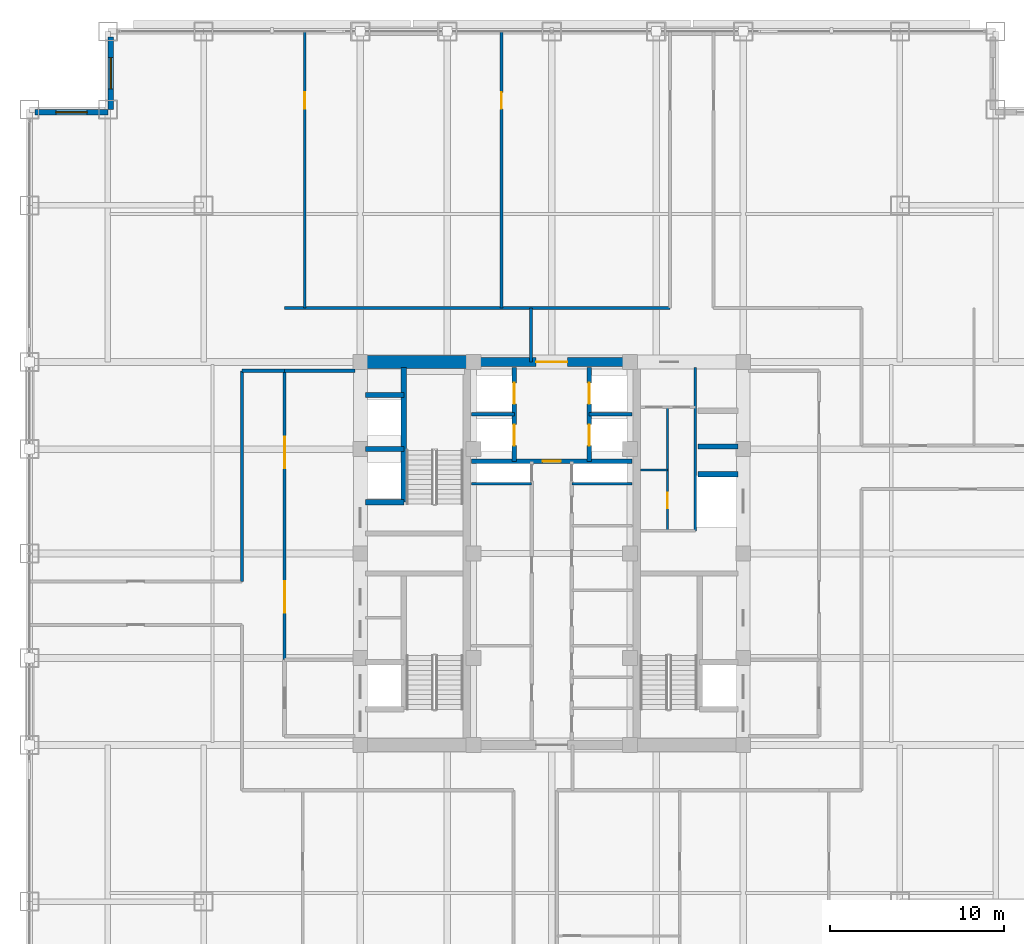
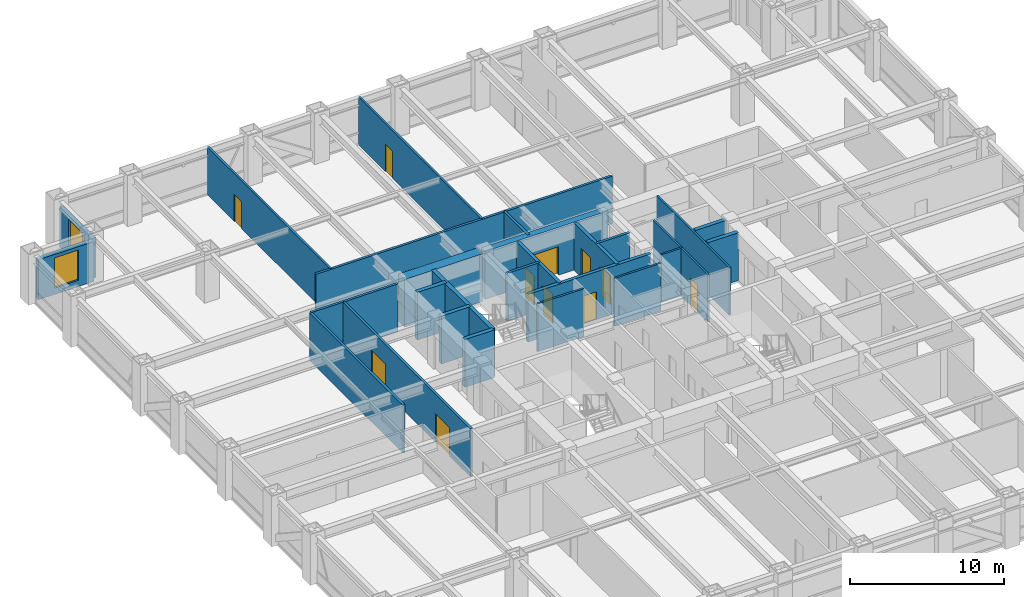
# One storey, part 22 of 28: 28 walls, 11 doors, 2 windows, 13 openings.
"""IFC4 building model written with IfcOpenShell, lengths in metres."""

from ifc_helpers import new_model, si_unit, direction, frame, frame_2d, origin, place, context, subcontext, project, spatial, rectangle, extrude, source, transform, mapped, material, layer, layer_set, type_object, element, fill, save


model = new_model("IFC4")

# Units and contexts
model_context = context("Model", 3, precision=1e-05, world=origin(), true_north=direction((0.0, 1.0)))
body_context = subcontext(model_context, "Body", "Model", "MODEL_VIEW")
ifc_project = project(units=[si_unit("LENGTHUNIT", "METRE"), si_unit("AREAUNIT", "SQUARE_METRE"), si_unit("VOLUMEUNIT", "CUBIC_METRE"), si_unit("PLANEANGLEUNIT", "RADIAN"), si_unit("MASSUNIT", "GRAM", prefix="KILO")], contexts=[model_context])

# Site, building, storey
site_placement = place(None, origin())
site = spatial("IfcSite", under=ifc_project, at=site_placement, CompositionType="ELEMENT")
building_placement = place(site_placement, origin())
building = spatial("IfcBuilding", under=site, at=building_placement, Name="Khorayat Bourse Tower", CompositionType="ELEMENT")
storey_placement = place(building_placement, frame((0.0, 0.0, 187.10009765625)))
storey = spatial("IfcBuildingStorey", under=building, at=storey_placement, Name="L43", CompositionType="ELEMENT", Elevation=187.10009765625)

# Wall
ifc_material_1 = material(Name="Concrete C72/90", Category="concrete")
ifc_layer_1 = layer(ifc_material_1, 0.75)
ifc_layer_set_1 = layer_set([ifc_layer_1], Name="Concrete C72/90")
wall_type_1 = type_object("IfcWallType", Name="WAL-CORE-750", PredefinedType="SHEAR", material=ifc_layer_set_1)
shared_shape_1 = source(origin(), body_context, "Body", "SweptSolid", [
    extrude(rectangle(XDim=5.849853515625, YDim=0.75, at=frame_2d((2.9248046875, 0.0))), origin(), (0.0, 0.0, 1.0), 3.77978515625),
])
wall_1_placement = place(storey_placement, frame((-10.699951171875, 11.0, 0.0), z_axis=(0.0, 0.0, 1.0), x_axis=(1.0, 0.0, 0.0)))
element("IfcWall", 1, at=wall_1_placement, inside=storey, type_object=wall_type_1, Name="L43 Core Shear Wall PIER-WN", PredefinedType="SHEAR", context=body_context, shape_type="MappedRepresentation", body=[
    mapped(shared_shape_1, transform((0.0, 0.0, 0.0), scale=1.0)),
])

# Wall, opening, door
ifc_material_2 = material(Name="Concrete C52/65", Category="concrete")
ifc_layer_2 = layer(ifc_material_2, 0.5)
ifc_layer_set_2 = layer_set([ifc_layer_2], Name="Concrete C52/65")
wall_type_2 = type_object("IfcWallType", Name="WAL-CORE-500", PredefinedType="SHEAR", material=ifc_layer_set_2)
shared_shape_2 = source(origin(), body_context, "Body", "SweptSolid", [
    extrude(rectangle(XDim=9.2001953125, YDim=0.5, at=frame_2d((4.60009765625, 0.0))), origin(), (0.0, 0.0, 1.0), 3.77978515625),
])
wall_2_placement = place(storey_placement, frame((-4.60009765625, 11.0, 0.0), z_axis=(0.0, 0.0, 1.0), x_axis=(1.0, 0.0, 0.0)))
wall_2 = element("IfcWall", 2, at=wall_2_placement, inside=storey, type_object=wall_type_2, Name="L43 Core Shear Wall CORE-N", PredefinedType="SHEAR", context=body_context, shape_type="MappedRepresentation", body=[
    mapped(shared_shape_2, transform((0.0, 0.0, 0.0), scale=1.0)),
])
shared_shape_3 = source(origin(), body_context, "Body", "SweptSolid", [
    extrude(rectangle(XDim=1.800048828125, YDim=2.25, at=frame_2d((0.89990234375, 1.125))), frame((0.0, 0.260009765625, 0.0), z_axis=(0.0, -1.0, 0.0), x_axis=(1.0, 0.0, 0.0)), (0.0, 0.0, 1.0), 0.52001953125),
])
opening_1_placement = place(wall_2_placement, frame((3.699951171875, 0.0, 0.0)))
opening_1 = element("IfcOpeningElement", 3, at=opening_1_placement, cuts=wall_2, Name="Opening DI-03", PredefinedType="OPENING", context=body_context, shape_type="MappedRepresentation", body=[
    mapped(shared_shape_3, transform((0.0, 0.0, 0.0), scale=1.0)),
])
ifc_material_3 = material(Name="Fire-rated hardwood vision-panel double leaf", Category="wood")
door_type_1 = type_object("IfcDoorType", Name="DR-INT-CORR-1800", OperationType="NOTDEFINED", PredefinedType="DOOR", material=ifc_material_3)
shared_shape_4 = source(origin(), body_context, "Body", "SweptSolid", [
    extrude(rectangle(XDim=1.800048828125, YDim=2.25, at=frame_2d((0.89990234375, 1.125))), frame((0.0, 0.02490234375, 0.0), z_axis=(0.0, -1.0, 0.0), x_axis=(1.0, 0.0, 0.0)), (0.0, 0.0, 1.0), 0.050048828125),
])
door_1_placement = place(opening_1_placement, origin())
door_1 = element("IfcDoor", 4, at=door_1_placement, inside=storey, type_object=door_type_1, Name="L43 Mid-Rise Lift Lobby Door", OperationType="SINGLE_SWING_RIGHT", OverallHeight=2.25, OverallWidth=1.800048828125, PredefinedType="DOOR", context=body_context, shape_type="MappedRepresentation", body=[
    mapped(shared_shape_4, transform((0.0, 0.0, 0.0), scale=1.0)),
])
fill(opening_1, door_1)

# Wall, opening, window
ifc_material_4 = material(Name="Precast concrete C45/55", Category="concrete")
ifc_layer_3 = layer(ifc_material_4, 0.320068359375)
ifc_layer_set_3 = layer_set([ifc_layer_3], Name="Precast concrete C45/55")
wall_type_3 = type_object("IfcWallType", Name="WAL-EXT-STONE-320", PredefinedType="STANDARD", material=ifc_layer_set_3)
shared_shape_5 = source(origin(), body_context, "Body", "SweptSolid", [
    extrude(rectangle(XDim=4.179931640625, YDim=0.320068359375, at=frame_2d((2.08984375, 0.0))), origin(), (0.0, 0.0, 1.0), 3.163818359375),
])
wall_3_placement = place(storey_placement, frame((-25.340087890625, 25.5, 0.0), z_axis=(0.0, 0.0, 1.0), x_axis=(0.0, 1.0, 0.0)))
wall_3 = element("IfcWall", 5, at=wall_3_placement, inside=storey, type_object=wall_type_3, Name="L43 Re-Entrant Notch Limestone Wall NW-V", PredefinedType="STANDARD", context=body_context, shape_type="MappedRepresentation", body=[
    mapped(shared_shape_5, transform((0.0, 0.0, 0.0), scale=1.0)),
])
shared_shape_6 = source(origin(), body_context, "Body", "SweptSolid", [
    extrude(rectangle(XDim=1.800048828125, YDim=2.39990234375, at=frame_2d((0.89990234375, 1.199951171875))), frame((0.0, 0.169921875, 0.0), z_axis=(0.0, -1.0, 0.0), x_axis=(1.0, 0.0, 0.0)), (0.0, 0.0, 1.0), 0.340087890625),
])
opening_2_placement = place(wall_3_placement, frame((1.18994140625, 0.0, 0.5)))
opening_2 = element("IfcOpeningElement", 6, at=opening_2_placement, cuts=wall_3, Name="Opening WN-04", PredefinedType="OPENING", context=body_context, shape_type="MappedRepresentation", body=[
    mapped(shared_shape_6, transform((0.0, 0.0, 0.0), scale=1.0)),
])
ifc_material_5 = material(Name="Low-E acoustic laminated double glazing", Category="glass")
window_type = type_object("IfcWindowType", Name="WIN-NOTCH-1800x2400", PartitioningType="SINGLE_PANEL", PredefinedType="WINDOW", material=ifc_material_5)
shared_shape_7 = source(origin(), body_context, "Body", "SweptSolid", [
    extrude(rectangle(XDim=1.800048828125, YDim=2.39990234375, at=frame_2d((0.89990234375, 1.199951171875))), frame((0.0, 0.030029296875, 0.0), z_axis=(0.0, -1.0, 0.0), x_axis=(1.0, 0.0, 0.0)), (0.0, 0.0, 1.0), 0.06005859375),
])
window_1_placement = place(opening_2_placement, origin())
window_1 = element("IfcWindow", 7, at=window_1_placement, inside=storey, type_object=window_type, Name="L43 Facade Window 1", OverallHeight=2.39990234375, OverallWidth=1.800048828125, PartitioningType="SINGLE_PANEL", PredefinedType="WINDOW", context=body_context, shape_type="MappedRepresentation", body=[
    mapped(shared_shape_7, transform((0.0, 0.0, 0.0), scale=1.0)),
])
fill(opening_2, window_1)

wall_4_placement = place(storey_placement, frame((-25.5, 25.340087890625, 0.0), z_axis=(0.0, 0.0, 1.0), x_axis=(-1.0, 0.0, 0.0)))
wall_4 = element("IfcWall", 8, at=wall_4_placement, inside=storey, type_object=wall_type_3, Name="L43 Re-Entrant Notch Limestone Wall NW-H", PredefinedType="STANDARD", context=body_context, shape_type="MappedRepresentation", body=[
    mapped(shared_shape_5, transform((0.0, 0.0, 0.0), scale=1.0)),
])
opening_3_placement = place(wall_4_placement, frame((1.18994140625, 0.0, 0.5)))
opening_3 = element("IfcOpeningElement", 9, at=opening_3_placement, cuts=wall_4, Name="Opening WN-04", PredefinedType="OPENING", context=body_context, shape_type="MappedRepresentation", body=[
    mapped(shared_shape_6, transform((0.0, 0.0, 0.0), scale=1.0)),
])
window_2_placement = place(opening_3_placement, origin())
window_2 = element("IfcWindow", 10, at=window_2_placement, inside=storey, type_object=window_type, Name="L43 Facade Window 1", OverallHeight=2.39990234375, OverallWidth=1.800048828125, PartitioningType="SINGLE_PANEL", PredefinedType="WINDOW", context=body_context, shape_type="MappedRepresentation", body=[
    mapped(shared_shape_7, transform((0.0, 0.0, 0.0), scale=1.0)),
])
fill(opening_3, window_2)

# Walls
ifc_material_6 = material(Name="Concrete C50/60", Category="concrete")
ifc_layer_4 = layer(ifc_material_6, 0.300048828125)
ifc_layer_set_4 = layer_set([ifc_layer_4], Name="Concrete C50/60")
wall_type_4 = type_object("IfcWallType", Name="WAL-SHAFT-300", PredefinedType="SHEAR", material=ifc_layer_set_4)
shared_shape_8 = source(origin(), body_context, "Body", "SweptSolid", [
    extrude(rectangle(XDim=2.199951171875, YDim=0.300048828125, at=frame_2d((1.10009765625, 0.0))), origin(), (0.0, 0.0, 1.0), 3.77978515625),
])
for number, where, z_axis, x_axis, name in (
    (11, (-10.699951171875, 2.949951171875, 0.0), (0.0, 0.0, 1.0), (1.0, 0.0, 0.0), "L43 Partition WAL-L43-WPIER-H1S"),
    (12, (-10.699951171875, 6.0, 0.0), (0.0, 0.0, 1.0), (1.0, 0.0, 0.0), "L43 Partition WAL-L43-WPIER-H12"),
    (13, (-10.699951171875, 9.10009765625, 0.0), (0.0, 0.0, 1.0), (1.0, 0.0, 0.0), "L43 Partition WAL-L43-WPIER-H2N"),
):
    element("IfcWall", number, at=place(storey_placement, frame(where, z_axis=z_axis, x_axis=x_axis)), inside=storey, type_object=wall_type_4, Name=name, PredefinedType="SHEAR", context=body_context, shape_type="MappedRepresentation", body=[
        mapped(shared_shape_8, transform((0.0, 0.0, 0.0), scale=1.0)),
    ])
shared_shape_9 = source(origin(), body_context, "Body", "SweptSolid", [
    extrude(rectangle(XDim=7.75, YDim=0.300048828125, at=frame_2d((3.875, 0.0))), origin(), (0.0, 0.0, 1.0), 3.77978515625),
])
wall_5_placement = place(storey_placement, frame((-8.5, 2.949951171875, 0.0), z_axis=(0.0, 0.0, 1.0), x_axis=(0.0, 1.0, 0.0)))
element("IfcWall", 14, at=wall_5_placement, inside=storey, type_object=wall_type_4, Name="L43 Partition WAL-L43-WPIER-ST2S", PredefinedType="SHEAR", context=body_context, shape_type="MappedRepresentation", body=[
    mapped(shared_shape_9, transform((0.0, 0.0, 0.0), scale=1.0)),
])
shared_shape_10 = source(origin(), body_context, "Body", "SweptSolid", [
    extrude(rectangle(XDim=2.300048828125, YDim=0.300048828125, at=frame_2d((1.14990234375, 0.0))), origin(), (0.0, 0.0, 1.0), 3.77978515625),
])
for number, where, z_axis, x_axis, name in (
    (15, (8.39990234375, 4.550048828125, 0.0), (0.0, 0.0, 1.0), (1.0, 0.0, 0.0), "L43 Partition WAL-L43-EPIER-SVLN"),
    (16, (8.39990234375, 6.14990234375, 0.0), (0.0, 0.0, 1.0), (1.0, 0.0, 0.0), "L43 Partition WAL-L43-EPIER-H3S"),
):
    element("IfcWall", number, at=place(storey_placement, frame(where, z_axis=z_axis, x_axis=x_axis)), inside=storey, type_object=wall_type_4, Name=name, PredefinedType="SHEAR", context=body_context, shape_type="MappedRepresentation", body=[
        mapped(shared_shape_10, transform((0.0, 0.0, 0.0), scale=1.0)),
    ])
ifc_material_7 = material(Name="Moisture-resistant masonry partition", Category="masonry")
ifc_layer_5 = layer(ifc_material_7, 0.139892578125)
ifc_layer_set_5 = layer_set([ifc_layer_5], Name="Moisture-resistant masonry partition")
wall_type_5 = type_object("IfcWallType", Name="WAL-PART-WET-140", PredefinedType="PARTITIONING", material=ifc_layer_set_5)
shared_shape_11 = source(origin(), body_context, "Body", "SweptSolid", [
    extrude(rectangle(XDim=9.39990234375, YDim=0.139892578125, at=frame_2d((4.699951171875, 0.0))), origin(), (0.0, 0.0, 1.0), 3.77978515625),
])
wall_6_placement = place(storey_placement, frame((8.25, 1.300048828125, 0.0), z_axis=(0.0, 0.0, 1.0), x_axis=(0.0, 1.0, 0.0)))
element("IfcWall", 17, at=wall_6_placement, inside=storey, type_object=wall_type_5, Name="L43 Partition WAL-L43-ECORE-E", PredefinedType="PARTITIONING", context=body_context, shape_type="MappedRepresentation", body=[
    mapped(shared_shape_11, transform((0.0, 0.0, 0.0), scale=1.0)),
])
ifc_material_8 = material(Name="Gypsum plasterboard acoustic stud wall")
ifc_layer_6 = layer(ifc_material_8, 0.179931640625)
ifc_layer_set_6 = layer_set([ifc_layer_6], Name="Gypsum plasterboard acoustic stud wall")
wall_type_6 = type_object("IfcWallType", Name="WAL-PART-CORR-180", PredefinedType="PARTITIONING", material=ifc_layer_set_6)
shared_shape_12 = source(origin(), body_context, "Body", "SweptSolid", [
    extrude(rectangle(XDim=4.050048828125, YDim=0.179931640625, at=frame_2d((2.02490234375, 0.0))), origin(), (0.0, 0.0, 1.0), 3.77978515625),
])
wall_7_placement = place(storey_placement, frame((-15.35009765625, 10.5, 0.0), z_axis=(0.0, 0.0, 1.0), x_axis=(1.0, 0.0, 0.0)))
element("IfcWall", 18, at=wall_7_placement, inside=storey, type_object=wall_type_6, Name="L43 Partition WAL-L43-WLOB-N", PredefinedType="PARTITIONING", context=body_context, shape_type="MappedRepresentation", body=[
    mapped(shared_shape_12, transform((0.0, 0.0, 0.0), scale=1.0)),
])

# Wall, openings, doors
shared_shape_13 = source(origin(), body_context, "Body", "SweptSolid", [
    extrude(rectangle(XDim=16.60009765625, YDim=0.179931640625, at=frame_2d((8.300048828125, 0.0))), origin(), (0.0, 0.0, 1.0), 3.77978515625),
])
wall_8_placement = place(storey_placement, frame((-15.35009765625, -6.10009765625, 0.0), z_axis=(0.0, 0.0, 1.0), x_axis=(0.0, 1.0, 0.0)))
wall_8 = element("IfcWall", 19, at=wall_8_placement, inside=storey, type_object=wall_type_6, Name="L43 Partition WAL-L43-WLOB-W", PredefinedType="PARTITIONING", context=body_context, shape_type="MappedRepresentation", body=[
    mapped(shared_shape_13, transform((0.0, 0.0, 0.0), scale=1.0)),
])
shared_shape_14 = source(origin(), body_context, "Body", "SweptSolid", [
    extrude(rectangle(XDim=1.800048828125, YDim=2.25, at=frame_2d((0.89990234375, 1.125))), frame((0.0, 0.099853515625, 0.0), z_axis=(0.0, -1.0, 0.0), x_axis=(1.0, 0.0, 0.0)), (0.0, 0.0, 1.0), 0.199951171875),
])
opening_4_placement = place(wall_8_placement, frame((2.699951171875, 0.0, 0.0)))
opening_4 = element("IfcOpeningElement", 20, at=opening_4_placement, cuts=wall_8, Name="Opening DI-03", PredefinedType="OPENING", context=body_context, shape_type="MappedRepresentation", body=[
    mapped(shared_shape_14, transform((0.0, 0.0, 0.0), scale=1.0)),
])
opening_5_placement = place(wall_8_placement, frame((11.0, 0.0, 0.0)))
opening_5 = element("IfcOpeningElement", 21, at=opening_5_placement, cuts=wall_8, Name="Opening DI-03", PredefinedType="OPENING", context=body_context, shape_type="MappedRepresentation", body=[
    mapped(shared_shape_14, transform((0.0, 0.0, 0.0), scale=1.0)),
])
door_2_placement = place(opening_4_placement, origin())
door_2 = element("IfcDoor", 22, at=door_2_placement, inside=storey, type_object=door_type_1, Name="L43 West Core Lobby South Door", OperationType="SINGLE_SWING_LEFT", OverallHeight=2.25, OverallWidth=1.800048828125, PredefinedType="DOOR", context=body_context, shape_type="MappedRepresentation", body=[
    mapped(shared_shape_4, transform((0.0, 0.0, 0.0), scale=1.0)),
])
fill(opening_4, door_2)
door_3_placement = place(opening_5_placement, origin())
door_3 = element("IfcDoor", 23, at=door_3_placement, inside=storey, type_object=door_type_1, Name="L43 West Core Lobby North Door", OperationType="SINGLE_SWING_RIGHT", OverallHeight=2.25, OverallWidth=1.800048828125, PredefinedType="DOOR", context=body_context, shape_type="MappedRepresentation", body=[
    mapped(shared_shape_4, transform((0.0, 0.0, 0.0), scale=1.0)),
])
fill(opening_5, door_3)

# Walls
ifc_material_9 = material(Name="Gypsum plasterboard twin-frame partition")
ifc_layer_7 = layer(ifc_material_9, 0.14990234375)
ifc_layer_set_7 = layer_set([ifc_layer_7], Name="Gypsum plasterboard twin-frame partition")
wall_type_7 = type_object("IfcWallType", Name="WAL-PART-SUITE-150", PredefinedType="PARTITIONING", material=ifc_layer_set_7)
shared_shape_15 = source(origin(), body_context, "Body", "SweptSolid", [
    extrude(rectangle(XDim=3.4501953125, YDim=0.14990234375, at=frame_2d((1.72509765625, 0.0))), origin(), (0.0, 0.0, 1.0), 3.77978515625),
])
for number, where, z_axis, x_axis, name in (
    (24, (-4.60009765625, 4.0, 0.0), (0.0, 0.0, 1.0), (1.0, 0.0, 0.0), "L43 Partition WAL-L43-CRSW-S"),
    (25, (1.14990234375, 4.0, 0.0), (0.0, 0.0, 1.0), (1.0, 0.0, 0.0), "L43 Partition WAL-L43-CRSE-S"),
):
    element("IfcWall", number, at=place(storey_placement, frame(where, z_axis=z_axis, x_axis=x_axis)), inside=storey, type_object=wall_type_7, Name=name, PredefinedType="PARTITIONING", context=body_context, shape_type="MappedRepresentation", body=[
        mapped(shared_shape_15, transform((0.0, 0.0, 0.0), scale=1.0)),
    ])

# Wall, openings, doors
shared_shape_16 = source(origin(), body_context, "Body", "SweptSolid", [
    extrude(rectangle(XDim=5.39990234375, YDim=0.25, at=frame_2d((2.699951171875, 0.0))), origin(), (0.0, 0.0, 1.0), 3.77978515625),
])
wall_9_placement = place(storey_placement, frame((-2.14990234375, 5.300048828125, 0.0), z_axis=(0.0, 0.0, 1.0), x_axis=(0.0, 1.0, 0.0)))
wall_9 = element("IfcWall", 26, at=wall_9_placement, inside=storey, type_object=wall_type_4, Name="L43 Partition WAL-L43-B2-W", PredefinedType="SHEAR", context=body_context, shape_type="MappedRepresentation", body=[
    mapped(shared_shape_16, transform((0.0, 0.0, 0.0), scale=1.0)),
])
shared_shape_17 = source(origin(), body_context, "Body", "SweptSolid", [
    extrude(rectangle(XDim=1.199951171875, YDim=2.300048828125, at=frame_2d((0.60009765625, 1.14990234375))), frame((0.0, 0.135009765625, 0.0), z_axis=(0.0, -1.0, 0.0), x_axis=(1.0, 0.0, 0.0)), (0.0, 0.0, 1.0), 0.27001953125),
])
opening_6_placement = place(wall_9_placement, frame((3.300048828125, 0.0, 0.0)))
opening_6 = element("IfcOpeningElement", 27, at=opening_6_placement, cuts=wall_9, Name="Opening LD-01", PredefinedType="OPENING", context=body_context, shape_type="MappedRepresentation", body=[
    mapped(shared_shape_17, transform((0.0, 0.0, 0.0), scale=1.0)),
])
opening_7_placement = place(wall_9_placement, frame((0.89990234375, 0.0, 0.0)))
opening_7 = element("IfcOpeningElement", 28, at=opening_7_placement, cuts=wall_9, Name="Opening LD-01", PredefinedType="OPENING", context=body_context, shape_type="MappedRepresentation", body=[
    mapped(shared_shape_17, transform((0.0, 0.0, 0.0), scale=1.0)),
])
ifc_material_10 = material(Name="Brushed bronze stainless-steel sliding door", Category="steel")
door_type_2 = type_object("IfcDoorType", Name="DR-LIFT-PASS-1200", OperationType="NOTDEFINED", PredefinedType="DOOR", material=ifc_material_10)
shared_shape_18 = source(origin(), body_context, "Body", "SweptSolid", [
    extrude(rectangle(XDim=1.199951171875, YDim=2.300048828125, at=frame_2d((0.60009765625, 1.14990234375))), frame((0.0, 0.02490234375, 0.0), z_axis=(0.0, -1.0, 0.0), x_axis=(1.0, 0.0, 0.0)), (0.0, 0.0, 1.0), 0.050048828125),
])
door_4_placement = place(opening_6_placement, origin())
door_4 = element("IfcDoor", 29, at=door_4_placement, inside=storey, type_object=door_type_2, Name="L43 Lift PL-M1 Sliding Landing Door", OperationType="SLIDING_TO_LEFT", OverallHeight=2.300048828125, OverallWidth=1.199951171875, PredefinedType="DOOR", context=body_context, shape_type="MappedRepresentation", body=[
    mapped(shared_shape_18, transform((0.0, 0.0, 0.0), scale=1.0)),
])
fill(opening_6, door_4)
door_5_placement = place(opening_7_placement, origin())
door_5 = element("IfcDoor", 30, at=door_5_placement, inside=storey, type_object=door_type_2, Name="L43 Lift PL-M3 Sliding Landing Door", OperationType="SLIDING_TO_LEFT", OverallHeight=2.300048828125, OverallWidth=1.199951171875, PredefinedType="DOOR", context=body_context, shape_type="MappedRepresentation", body=[
    mapped(shared_shape_18, transform((0.0, 0.0, 0.0), scale=1.0)),
])
fill(opening_7, door_5)

wall_10_placement = place(storey_placement, frame((2.14990234375, 5.300048828125, 0.0), z_axis=(0.0, 0.0, 1.0), x_axis=(0.0, 1.0, 0.0)))
wall_10 = element("IfcWall", 31, at=wall_10_placement, inside=storey, type_object=wall_type_4, Name="L43 Partition WAL-L43-B2-E", PredefinedType="SHEAR", context=body_context, shape_type="MappedRepresentation", body=[
    mapped(shared_shape_16, transform((0.0, 0.0, 0.0), scale=1.0)),
])
opening_8_placement = place(wall_10_placement, frame((3.300048828125, 0.0, 0.0)))
opening_8 = element("IfcOpeningElement", 32, at=opening_8_placement, cuts=wall_10, Name="Opening LD-01", PredefinedType="OPENING", context=body_context, shape_type="MappedRepresentation", body=[
    mapped(shared_shape_17, transform((0.0, 0.0, 0.0), scale=1.0)),
])
opening_9_placement = place(wall_10_placement, frame((0.89990234375, 0.0, 0.0)))
opening_9 = element("IfcOpeningElement", 33, at=opening_9_placement, cuts=wall_10, Name="Opening LD-01", PredefinedType="OPENING", context=body_context, shape_type="MappedRepresentation", body=[
    mapped(shared_shape_17, transform((0.0, 0.0, 0.0), scale=1.0)),
])
door_6_placement = place(opening_8_placement, origin())
door_6 = element("IfcDoor", 34, at=door_6_placement, inside=storey, type_object=door_type_2, Name="L43 Lift PL-M2 Sliding Landing Door", OperationType="SLIDING_TO_LEFT", OverallHeight=2.300048828125, OverallWidth=1.199951171875, PredefinedType="DOOR", context=body_context, shape_type="MappedRepresentation", body=[
    mapped(shared_shape_18, transform((0.0, 0.0, 0.0), scale=1.0)),
])
fill(opening_8, door_6)
door_7_placement = place(opening_9_placement, origin())
door_7 = element("IfcDoor", 35, at=door_7_placement, inside=storey, type_object=door_type_2, Name="L43 Lift PL-M4 Sliding Landing Door", OperationType="SLIDING_TO_LEFT", OverallHeight=2.300048828125, OverallWidth=1.199951171875, PredefinedType="DOOR", context=body_context, shape_type="MappedRepresentation", body=[
    mapped(shared_shape_18, transform((0.0, 0.0, 0.0), scale=1.0)),
])
fill(opening_9, door_7)

# Walls
shared_shape_19 = source(origin(), body_context, "Body", "SweptSolid", [
    extrude(rectangle(XDim=2.4501953125, YDim=0.199951171875, at=frame_2d((1.22509765625, 0.0))), origin(), (0.0, 0.0, 1.0), 3.77978515625),
])
for number, where, z_axis, x_axis, name in (
    (36, (-4.60009765625, 8.0, 0.0), (0.0, 0.0, 1.0), (1.0, 0.0, 0.0), "L43 Partition WAL-L43-B2-MW"),
    (37, (2.14990234375, 8.0, 0.0), (0.0, 0.0, 1.0), (1.0, 0.0, 0.0), "L43 Partition WAL-L43-B2-ME"),
):
    element("IfcWall", number, at=place(storey_placement, frame(where, z_axis=z_axis, x_axis=x_axis)), inside=storey, type_object=wall_type_4, Name=name, PredefinedType="SHEAR", context=body_context, shape_type="MappedRepresentation", body=[
        mapped(shared_shape_19, transform((0.0, 0.0, 0.0), scale=1.0)),
    ])

# Wall, opening, door
shared_shape_20 = source(origin(), body_context, "Body", "SweptSolid", [
    extrude(rectangle(XDim=9.2001953125, YDim=0.25, at=frame_2d((4.60009765625, 0.0))), origin(), (0.0, 0.0, 1.0), 3.77978515625),
])
wall_11_placement = place(storey_placement, frame((-4.60009765625, 5.300048828125, 0.0), z_axis=(0.0, 0.0, 1.0), x_axis=(1.0, 0.0, 0.0)))
wall_11 = element("IfcWall", 38, at=wall_11_placement, inside=storey, type_object=wall_type_4, Name="L43 Partition WAL-L43-B2-S", PredefinedType="SHEAR", context=body_context, shape_type="MappedRepresentation", body=[
    mapped(shared_shape_20, transform((0.0, 0.0, 0.0), scale=1.0)),
])
shared_shape_21 = source(origin(), body_context, "Body", "SweptSolid", [
    extrude(rectangle(XDim=1.050048828125, YDim=2.199951171875, at=frame_2d((0.52490234375, 1.10009765625))), frame((0.0, 0.135009765625, 0.0), z_axis=(0.0, -1.0, 0.0), x_axis=(1.0, 0.0, 0.0)), (0.0, 0.0, 1.0), 0.27001953125),
])
opening_10_placement = place(wall_11_placement, frame((4.074951171875, 0.0, 0.0)))
opening_10 = element("IfcOpeningElement", 39, at=opening_10_placement, cuts=wall_11, Name="Opening DI-04", PredefinedType="OPENING", context=body_context, shape_type="MappedRepresentation", body=[
    mapped(shared_shape_21, transform((0.0, 0.0, 0.0), scale=1.0)),
])
ifc_material_11 = material(Name="Fire-rated oak veneer suite entrance door")
door_type_3 = type_object("IfcDoorType", Name="DR-INT-SUITE-1050", OperationType="NOTDEFINED", PredefinedType="DOOR", material=ifc_material_11)
shared_shape_22 = source(origin(), body_context, "Body", "SweptSolid", [
    extrude(rectangle(XDim=1.050048828125, YDim=2.199951171875, at=frame_2d((0.52490234375, 1.10009765625))), frame((0.0, 0.02490234375, 0.0), z_axis=(0.0, -1.0, 0.0), x_axis=(1.0, 0.0, 0.0)), (0.0, 0.0, 1.0), 0.050048828125),
])
door_8_placement = place(opening_10_placement, origin())
door_8 = element("IfcDoor", 40, at=door_8_placement, inside=storey, type_object=door_type_3, Name="L43 Core Spine North Door", OperationType="SINGLE_SWING_RIGHT", OverallHeight=2.199951171875, OverallWidth=1.050048828125, PredefinedType="DOOR", context=body_context, shape_type="MappedRepresentation", body=[
    mapped(shared_shape_22, transform((0.0, 0.0, 0.0), scale=1.0)),
])
fill(opening_10, door_8)

# Walls
shared_shape_23 = source(origin(), body_context, "Body", "SweptSolid", [
    extrude(rectangle(XDim=2.449951171875, YDim=0.179931640625, at=frame_2d((1.22509765625, 0.0))), origin(), (0.0, 0.0, 1.0), 3.77978515625),
])
wall_12_placement = place(storey_placement, frame((-17.800048828125, 10.5, 0.0), z_axis=(0.0, 0.0, 1.0), x_axis=(1.0, 0.0, 0.0)))
element("IfcWall", 41, at=wall_12_placement, inside=storey, type_object=wall_type_6, Name="L43 Partition WAL-L43-C2-WN", PredefinedType="PARTITIONING", context=body_context, shape_type="MappedRepresentation", body=[
    mapped(shared_shape_23, transform((0.0, 0.0, 0.0), scale=1.0)),
])
shared_shape_24 = source(origin(), body_context, "Body", "SweptSolid", [
    extrude(rectangle(XDim=3.10009765625, YDim=0.179931640625, at=frame_2d((1.550048828125, 0.0))), origin(), (0.0, 0.0, 1.0), 3.77978515625),
])
wall_13_placement = place(storey_placement, frame((-1.199951171875, 11.0, 0.0), z_axis=(0.0, 0.0, 1.0), x_axis=(0.0, 1.0, 0.0)))
element("IfcWall", 42, at=wall_13_placement, inside=storey, type_object=wall_type_6, Name="L43 Partition WAL-L43-C2-NCW", PredefinedType="PARTITIONING", context=body_context, shape_type="MappedRepresentation", body=[
    mapped(shared_shape_24, transform((0.0, 0.0, 0.0), scale=1.0)),
])

# Wall, opening, door
shared_shape_25 = source(origin(), body_context, "Body", "SweptSolid", [
    extrude(rectangle(XDim=15.89990234375, YDim=0.14990234375, at=frame_2d((7.949951171875, 0.0))), origin(), (0.0, 0.0, 1.0), 3.77978515625),
])
wall_14_placement = place(storey_placement, frame((-14.195068359375, 14.10009765625, 0.0), z_axis=(0.0, 0.0, 1.0), x_axis=(0.0, 1.0, 0.0)))
wall_14 = element("IfcWall", 43, at=wall_14_placement, inside=storey, type_object=wall_type_7, Name="L43 Partition WAL-L43-QNWDV-1", PredefinedType="PARTITIONING", context=body_context, shape_type="MappedRepresentation", body=[
    mapped(shared_shape_25, transform((0.0, 0.0, 0.0), scale=1.0)),
])
shared_shape_26 = source(origin(), body_context, "Body", "SweptSolid", [
    extrude(rectangle(XDim=0.949951171875, YDim=2.14990234375, at=frame_2d((0.47509765625, 1.074951171875))), frame((0.0, 0.0849609375, 0.0), z_axis=(0.0, -1.0, 0.0), x_axis=(1.0, 0.0, 0.0)), (0.0, 0.0, 1.0), 0.169921875),
])
opening_11_placement = place(wall_14_placement, frame((11.449951171875, 0.0, 0.0)))
opening_11 = element("IfcOpeningElement", 44, at=opening_11_placement, cuts=wall_14, Name="Opening DI-05", PredefinedType="OPENING", context=body_context, shape_type="MappedRepresentation", body=[
    mapped(shared_shape_26, transform((0.0, 0.0, 0.0), scale=1.0)),
])
ifc_material_12 = material(Name="Acoustic oak veneer office door")
door_type_4 = type_object("IfcDoorType", Name="DR-INT-OFFICE-950", OperationType="NOTDEFINED", PredefinedType="DOOR", material=ifc_material_12)
shared_shape_27 = source(origin(), body_context, "Body", "SweptSolid", [
    extrude(rectangle(XDim=0.949951171875, YDim=2.14990234375, at=frame_2d((0.47509765625, 1.074951171875))), frame((0.0, 0.02490234375, 0.0), z_axis=(0.0, -1.0, 0.0), x_axis=(1.0, 0.0, 0.0)), (0.0, 0.0, 1.0), 0.050048828125),
])
door_9_placement = place(opening_11_placement, origin())
door_9 = element("IfcDoor", 45, at=door_9_placement, inside=storey, type_object=door_type_4, Name="L43 North-West Suite Link 1", OperationType="SINGLE_SWING_RIGHT", OverallHeight=2.14990234375, OverallWidth=0.949951171875, PredefinedType="DOOR", context=body_context, shape_type="MappedRepresentation", body=[
    mapped(shared_shape_27, transform((0.0, 0.0, 0.0), scale=1.0)),
])
fill(opening_11, door_9)

wall_15_placement = place(storey_placement, frame((-2.889892578125, 14.10009765625, 0.0), z_axis=(0.0, 0.0, 1.0), x_axis=(0.0, 1.0, 0.0)))
wall_15 = element("IfcWall", 46, at=wall_15_placement, inside=storey, type_object=wall_type_7, Name="L43 Partition WAL-L43-QNWDV-2", PredefinedType="PARTITIONING", context=body_context, shape_type="MappedRepresentation", body=[
    mapped(shared_shape_25, transform((0.0, 0.0, 0.0), scale=1.0)),
])
opening_12_placement = place(wall_15_placement, frame((11.449951171875, 0.0, 0.0)))
opening_12 = element("IfcOpeningElement", 47, at=opening_12_placement, cuts=wall_15, Name="Opening DI-05", PredefinedType="OPENING", context=body_context, shape_type="MappedRepresentation", body=[
    mapped(shared_shape_26, transform((0.0, 0.0, 0.0), scale=1.0)),
])
door_10_placement = place(opening_12_placement, origin())
door_10 = element("IfcDoor", 48, at=door_10_placement, inside=storey, type_object=door_type_4, Name="L43 North-West Suite Link 2", OperationType="SINGLE_SWING_LEFT", OverallHeight=2.14990234375, OverallWidth=0.949951171875, PredefinedType="DOOR", context=body_context, shape_type="MappedRepresentation", body=[
    mapped(shared_shape_27, transform((0.0, 0.0, 0.0), scale=1.0)),
])
fill(opening_12, door_10)

shared_shape_28 = source(origin(), body_context, "Body", "SweptSolid", [
    extrude(rectangle(XDim=7.099853515625, YDim=0.139892578125, at=frame_2d((3.5498046875, 0.0))), origin(), (0.0, 0.0, 1.0), 3.77978515625),
])
wall_16_placement = place(storey_placement, frame((6.64990234375, 1.300048828125, 0.0), z_axis=(0.0, 0.0, 1.0), x_axis=(0.0, 1.0, 0.0)))
wall_16 = element("IfcWall", 49, at=wall_16_placement, inside=storey, type_object=wall_type_5, Name="L43 Partition WAL-L43-ECW-MID", PredefinedType="PARTITIONING", context=body_context, shape_type="MappedRepresentation", body=[
    mapped(shared_shape_28, transform((0.0, 0.0, 0.0), scale=1.0)),
])
shared_shape_29 = source(origin(), body_context, "Body", "SweptSolid", [
    extrude(rectangle(XDim=0.89990234375, YDim=2.14990234375, at=frame_2d((0.449951171875, 1.074951171875))), frame((0.0, 0.079833984375, 0.0), z_axis=(0.0, -1.0, 0.0), x_axis=(1.0, 0.0, 0.0)), (0.0, 0.0, 1.0), 0.159912109375),
])
opening_13_placement = place(wall_16_placement, frame((1.300048828125, 0.0, 0.0)))
opening_13 = element("IfcOpeningElement", 50, at=opening_13_placement, cuts=wall_16, Name="Opening DI-06", PredefinedType="OPENING", context=body_context, shape_type="MappedRepresentation", body=[
    mapped(shared_shape_29, transform((0.0, 0.0, 0.0), scale=1.0)),
])
ifc_material_13 = material(Name="Moisture-resistant laminate washroom door")
door_type_5 = type_object("IfcDoorType", Name="DR-INT-WC-900", OperationType="NOTDEFINED", PredefinedType="DOOR", material=ifc_material_13)
shared_shape_30 = source(origin(), body_context, "Body", "SweptSolid", [
    extrude(rectangle(XDim=0.89990234375, YDim=2.14990234375, at=frame_2d((0.449951171875, 1.074951171875))), frame((0.0, 0.02490234375, 0.0), z_axis=(0.0, -1.0, 0.0), x_axis=(1.0, 0.0, 0.0)), (0.0, 0.0, 1.0), 0.050048828125),
])
door_11_placement = place(opening_13_placement, origin())
door_11 = element("IfcDoor", 51, at=door_11_placement, inside=storey, type_object=door_type_5, Name="L43 Janitor Store Door", OperationType="SINGLE_SWING_LEFT", OverallHeight=2.14990234375, OverallWidth=0.89990234375, PredefinedType="DOOR", context=body_context, shape_type="MappedRepresentation", body=[
    mapped(shared_shape_30, transform((0.0, 0.0, 0.0), scale=1.0)),
])
fill(opening_13, door_11)

# Walls
shared_shape_31 = source(origin(), body_context, "Body", "SweptSolid", [
    extrude(rectangle(XDim=1.5498046875, YDim=0.139892578125, at=frame_2d((0.77490234375, 0.0))), origin(), (0.0, 0.0, 1.0), 3.77978515625),
])
wall_17_placement = place(storey_placement, frame((5.10009765625, 4.800048828125, 0.0), z_axis=(0.0, 0.0, 1.0), x_axis=(1.0, 0.0, 0.0)))
element("IfcWall", 52, at=wall_17_placement, inside=storey, type_object=wall_type_5, Name="L43 Partition WAL-L43-ECW-BOT", PredefinedType="PARTITIONING", context=body_context, shape_type="MappedRepresentation", body=[
    mapped(shared_shape_31, transform((0.0, 0.0, 0.0), scale=1.0)),
])
shared_shape_32 = source(origin(), body_context, "Body", "SweptSolid", [
    extrude(rectangle(XDim=22.150146484375, YDim=0.179931640625, at=frame_2d((11.0751953125, 0.0))), origin(), (0.0, 0.0, 1.0), 3.77978515625),
])
wall_18_placement = place(storey_placement, frame((-15.35009765625, 14.10009765625, 0.0), z_axis=(0.0, 0.0, 1.0), x_axis=(1.0, 0.0, 0.0)))
element("IfcWall", 53, at=wall_18_placement, inside=storey, type_object=wall_type_6, Name="L43 Partition WAL-L43-QNW-HC", PredefinedType="PARTITIONING", context=body_context, shape_type="MappedRepresentation", body=[
    mapped(shared_shape_32, transform((0.0, 0.0, 0.0), scale=1.0)),
])
shared_shape_33 = source(origin(), body_context, "Body", "SweptSolid", [
    extrude(rectangle(XDim=12.10009765625, YDim=0.179931640625, at=frame_2d((6.050048828125, 0.0))), origin(), (0.0, 0.0, 1.0), 3.77978515625),
])
wall_19_placement = place(storey_placement, frame((-17.800048828125, -1.60009765625, 0.0), z_axis=(0.0, 0.0, 1.0), x_axis=(0.0, 1.0, 0.0)))
element("IfcWall", 54, at=wall_19_placement, inside=storey, type_object=wall_type_6, Name="L43 Partition WAL-L43-WN-IN", PredefinedType="PARTITIONING", context=body_context, shape_type="MappedRepresentation", body=[
    mapped(shared_shape_33, transform((0.0, 0.0, 0.0), scale=1.0)),
])

save(model, "model.ifc")
